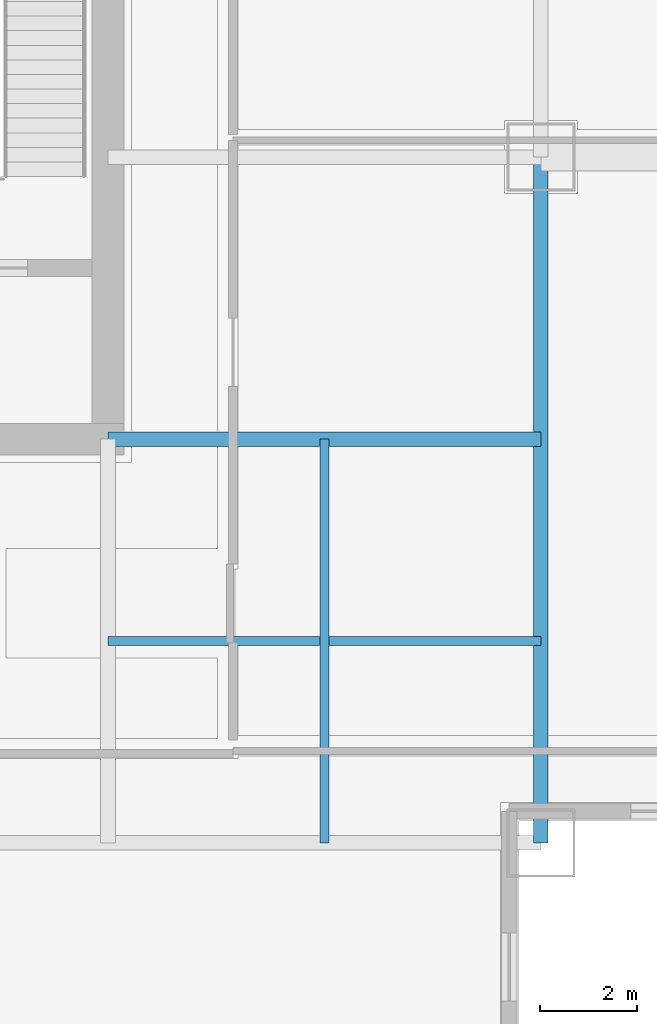
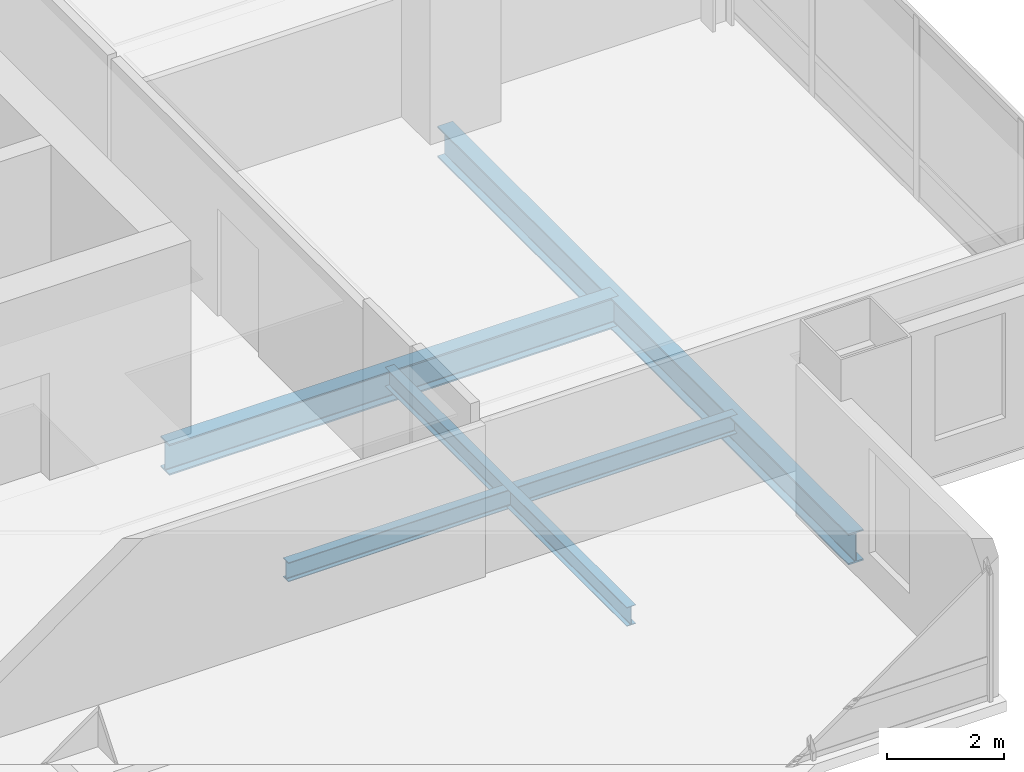
# One storey, part 15 of 37: 4 beams.
"""IFC4 building model written with IfcOpenShell, lengths in metres."""

from ifc_helpers import new_model, si_unit, direction, frame, origin, origin_2d, place, context, subcontext, project, spatial, i_section, extrude, material, material_profile, profile_set, type_object, element, save


model = new_model("IFC4")

# Units and contexts
model_context = context("Model", 3, precision=1e-05, world=origin(), true_north=direction((0.0, 1.0)))
body_context = subcontext(model_context, "Body", "Model", "MODEL_VIEW")
ifc_project = project(units=[si_unit("LENGTHUNIT", "METRE"), si_unit("AREAUNIT", "SQUARE_METRE"), si_unit("VOLUMEUNIT", "CUBIC_METRE"), si_unit("PLANEANGLEUNIT", "RADIAN"), si_unit("MASSUNIT", "GRAM", prefix="KILO")], contexts=[model_context])

# Site, building, storey
site_placement = place(None, origin())
site = spatial("IfcSite", under=ifc_project, at=site_placement, CompositionType="ELEMENT")
building_placement = place(site_placement, origin())
building = spatial("IfcBuilding", under=site, at=building_placement, Name="Punatoya Terracotta Tower", CompositionType="ELEMENT")
storey_placement = place(building_placement, frame((0.0, 0.0, 224.85009765625)))
storey = spatial("IfcBuildingStorey", under=building, at=storey_placement, Name="L53", CompositionType="ELEMENT", Elevation=224.85009765625)

# Beams
ifc_material = material(Name="Steel S355", Category="steel")
ifc_material_profile_1 = material_profile(ifc_material, i_section(OverallWidth=0.300048828125, OverallDepth=0.64990234375, WebThickness=0.01611328125, FlangeThickness=0.031005859375, FilletRadius=0.01806640625, at=origin_2d()))
ifc_profile_set_1 = profile_set([ifc_material_profile_1], Name="Steel S355")
beam_type_1 = type_object("IfcBeamType", Name="BM-PRI-650", PredefinedType="BEAM", material=ifc_profile_set_1)
beam_1_placement = place(storey_placement, frame((19.10009765625, -17.5, -0.545166015625), z_axis=(0.0, 1.0, 0.0), x_axis=(-1.0, 0.0, 0.0)))
element("IfcBeam", 1, at=beam_1_placement, inside=storey, type_object=beam_type_1, Name="BM-L53-RG-E1", PredefinedType="BEAM", context=body_context, shape_type="SweptSolid", body=[
    extrude(i_section(OverallWidth=0.300048828125, OverallDepth=0.64990234375, WebThickness=0.01611328125, FlangeThickness=0.031005859375, FilletRadius=0.01806640625, at=origin_2d()), origin(), (0.0, 0.0, 1.0), 14.10009765625),
])
beam_2_placement = place(storey_placement, frame((10.199951171875, -9.199951171875, -0.545166015625), z_axis=(1.0, 0.0, 0.0), x_axis=(0.0, 1.0, 0.0)))
element("IfcBeam", 2, at=beam_2_placement, inside=storey, type_object=beam_type_1, Name="BM-L53-PR-ES", PredefinedType="BEAM", context=body_context, shape_type="SweptSolid", body=[
    extrude(i_section(OverallWidth=0.300048828125, OverallDepth=0.64990234375, WebThickness=0.01611328125, FlangeThickness=0.031005859375, FilletRadius=0.01806640625, at=origin_2d()), origin(), (0.0, 0.0, 1.0), 8.900146484375),
])
ifc_material_profile_2 = material_profile(ifc_material, i_section(OverallWidth=0.179931640625, OverallDepth=0.39990234375, WebThickness=0.008544921875, FlangeThickness=0.013427734375, FilletRadius=0.01806640625, at=origin_2d()))
ifc_profile_set_2 = profile_set([ifc_material_profile_2], Name="Steel S355")
beam_type_2 = type_object("IfcBeamType", Name="BM-SEC-400", PredefinedType="JOIST", material=ifc_profile_set_2)
beam_3_placement = place(storey_placement, frame((10.199951171875, -13.35009765625, -0.420166015625), z_axis=(1.0, 0.0, 0.0), x_axis=(0.0, 1.0, 0.0)))
element("IfcBeam", 3, at=beam_3_placement, inside=storey, type_object=beam_type_2, Name="BM-L53-SJS-2", PredefinedType="JOIST", context=body_context, shape_type="SweptSolid", body=[
    extrude(i_section(OverallWidth=0.179931640625, OverallDepth=0.39990234375, WebThickness=0.008544921875, FlangeThickness=0.013427734375, FilletRadius=0.01806640625, at=origin_2d()), origin(), (0.0, 0.0, 1.0), 8.900146484375),
])
beam_4_placement = place(storey_placement, frame((14.64990234375, -17.5, -0.420166015625), z_axis=(0.0, 1.0, 0.0), x_axis=(-1.0, 0.0, 0.0)))
element("IfcBeam", 4, at=beam_4_placement, inside=storey, type_object=beam_type_2, Name="BM-L53-SJE-1", PredefinedType="JOIST", context=body_context, shape_type="SweptSolid", body=[
    extrude(i_section(OverallWidth=0.179931640625, OverallDepth=0.39990234375, WebThickness=0.008544921875, FlangeThickness=0.013427734375, FilletRadius=0.01806640625, at=origin_2d()), origin(), (0.0, 0.0, 1.0), 8.300048828125),
])

save(model, "model.ifc")
